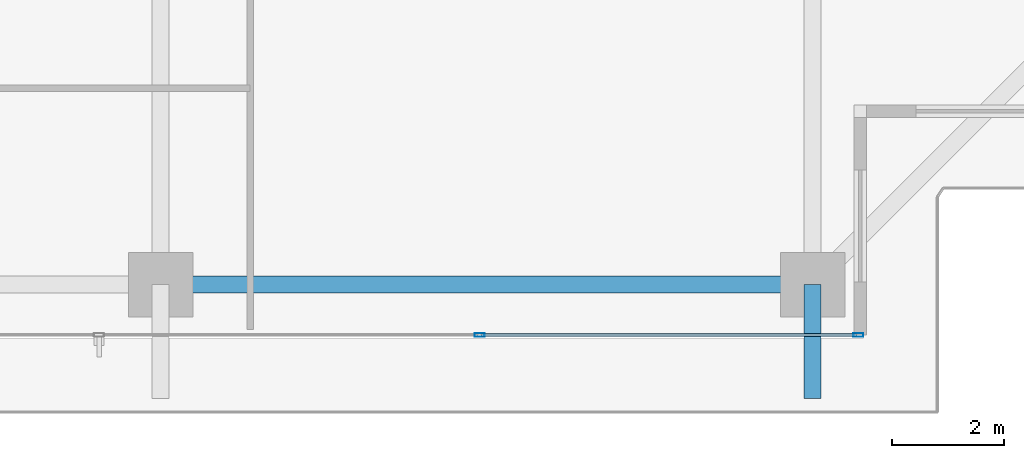
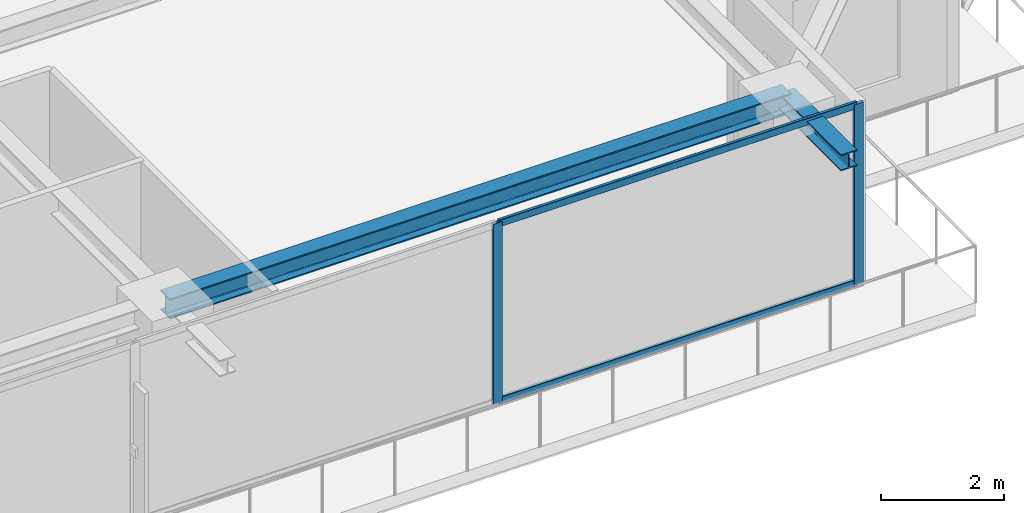
# One storey, part 11 of 38: 4 members, 2 beams, 1 element without a shape of its own.
"""IFC4 building model written with IfcOpenShell, lengths in metres."""

from ifc_helpers import new_model, si_unit, direction, frame, origin, origin_2d, place, context, subcontext, project, spatial, hollow_rectangle, i_section, extrude, source, transform, mapped, material, layer, layer_set, material_profile, profile_set, type_object, element, aggregate, save


model = new_model("IFC4")

# Units and contexts
model_context = context("Model", 3, precision=1e-05, world=origin(), true_north=direction((0.0, 1.0)))
body_context = subcontext(model_context, "Body", "Model", "MODEL_VIEW")
ifc_project = project(units=[si_unit("LENGTHUNIT", "METRE"), si_unit("AREAUNIT", "SQUARE_METRE"), si_unit("VOLUMEUNIT", "CUBIC_METRE"), si_unit("PLANEANGLEUNIT", "RADIAN"), si_unit("MASSUNIT", "GRAM", prefix="KILO")], contexts=[model_context])

# Site, building, storey
site_placement = place(None, origin())
site = spatial("IfcSite", under=ifc_project, at=site_placement, CompositionType="ELEMENT")
building_placement = place(site_placement, origin())
building = spatial("IfcBuilding", under=site, at=building_placement, Name="Serunith Strait Residences", CompositionType="ELEMENT")
storey_placement = place(building_placement, frame((0.0, 0.0, 264.35009765625)))
storey = spatial("IfcBuildingStorey", under=building, at=storey_placement, Name="L66", CompositionType="ELEMENT", Elevation=264.35009765625)

# Beams
ifc_material_1 = material(Name="Steel S355J2", Category="steel")
ifc_material_profile_1 = material_profile(ifc_material_1, i_section(OverallWidth=0.300048828125, OverallDepth=0.39990234375, WebThickness=0.013427734375, FlangeThickness=0.02392578125, FilletRadius=0.027099609375, at=origin_2d()), Name="HEB 400")
ifc_profile_set_1 = profile_set([ifc_material_profile_1], Name="Steel S355J2")
beam_type_1 = type_object("IfcBeamType", Name="BM-HEB400", PredefinedType="BEAM", material=ifc_profile_set_1)
shared_shape_1 = source(origin(), body_context, "Body", "SweptSolid", [
    extrude(i_section(OverallWidth=0.300048828125, OverallDepth=0.39990234375, WebThickness=0.013427734375, FlangeThickness=0.02392578125, FilletRadius=0.027099609375, at=origin_2d()), origin(), (0.0, 0.0, 1.0), 11.650146484375),
])
beam_1_placement = place(storey_placement, frame((36.89990234375, 2.10009765625, 3.386962890625), z_axis=(1.0, 0.0, 0.0), x_axis=(0.0, 1.0, 0.0)))
element("IfcBeam", 1, at=beam_1_placement, inside=storey, type_object=beam_type_1, Name="L66 Perimeter Ring Beam 03", PredefinedType="BEAM", context=body_context, shape_type="MappedRepresentation", body=[
    mapped(shared_shape_1, transform((0.0, 0.0, 0.0), scale=1.0)),
])
ifc_material_profile_2 = material_profile(ifc_material_1, i_section(OverallWidth=0.300048828125, OverallDepth=0.320068359375, WebThickness=0.011474609375, FlangeThickness=0.0205078125, FilletRadius=0.027099609375, at=origin_2d()), Name="HEB 320")
ifc_profile_set_2 = profile_set([ifc_material_profile_2], Name="Steel S355J2")
beam_type_2 = type_object("IfcBeamType", Name="BM-HEB320", PredefinedType="BEAM", material=ifc_profile_set_2)
shared_shape_2 = source(origin(), body_context, "Body", "SweptSolid", [
    extrude(i_section(OverallWidth=0.300048828125, OverallDepth=0.320068359375, WebThickness=0.011474609375, FlangeThickness=0.0205078125, FilletRadius=0.027099609375, at=origin_2d()), origin(), (0.0, 0.0, 1.0), 2.030029296875),
])
beam_2_placement = place(storey_placement, frame((48.550048828125, 2.10009765625, 3.39697265625), z_axis=(0.0, -1.0, 0.0), x_axis=(1.0, 0.0, 0.0)))
element("IfcBeam", 2, at=beam_2_placement, inside=storey, type_object=beam_type_2, Name="L67 Cantilevered Balcony Rib TC-S4", PredefinedType="BEAM", context=body_context, shape_type="MappedRepresentation", body=[
    mapped(shared_shape_2, transform((0.0, 0.0, 0.0), scale=1.0)),
])

# Curtain wall, members
ifc_material_2 = material(Name="Pale-Champagne Anodised Aluminium", Category="aluminium")
ifc_layer = layer(ifc_material_2, 0.199951171875, Name="Pale-Champagne Anodised Aluminium")
ifc_layer_set = layer_set([ifc_layer], Name="Pale-Champagne Anodised Aluminium")
curtain_wall_type = type_object("IfcCurtainWallType", Name="CW-SYS4", PredefinedType="NOTDEFINED", material=ifc_layer_set)
curtain_wall_placement = place(storey_placement, origin())
curtain_wall = element("IfcCurtainWall", 3, at=curtain_wall_placement, inside=storey, type_object=curtain_wall_type, Name="L66 S Unitised Fritted Curtain Wall", PredefinedType="NOTDEFINED")
ifc_material_profile_3 = material_profile(ifc_material_2, hollow_rectangle(XDim=0.06494140625, YDim=0.179931640625, WallThickness=0.00341796875, InnerFilletRadius=0.00537109375, OuterFilletRadius=0.0087890625, at=origin_2d()), Name="ALU 180x65x3.5")
ifc_profile_set_3 = profile_set([ifc_material_profile_3], Name="Pale-Champagne Anodised Aluminium")
member_type_1 = type_object("IfcMemberType", Name="CW-SYS4-MULL", PredefinedType="MULLION", material=ifc_profile_set_3)
shared_shape_3 = source(origin(), body_context, "Body", "SweptSolid", [
    extrude(hollow_rectangle(XDim=0.06494140625, YDim=0.179931640625, WallThickness=0.00341796875, InnerFilletRadius=0.00537109375, OuterFilletRadius=0.0087890625, at=origin_2d()), origin(), (0.0, 0.0, 1.0), 3.574951171875),
])
member_1_placement = place(storey_placement, frame((42.60009765625, 1.199951171875, 0.0), z_axis=(0.0, 0.0, 1.0), x_axis=(0.0, 1.0, 0.0)))
member_1 = element("IfcMember", 4, at=member_1_placement, type_object=member_type_1, Name="CW-4 mullion 5", PredefinedType="MULLION", context=body_context, shape_type="MappedRepresentation", body=[
    mapped(shared_shape_3, transform((0.0, 0.0, 0.0), scale=1.0)),
])
member_2_placement = place(storey_placement, frame((49.367431640625, 1.199951171875, 0.0), z_axis=(0.0, 0.0, 1.0), x_axis=(0.0, 1.0, 0.0)))
member_2 = element("IfcMember", 5, at=member_2_placement, type_object=member_type_1, Name="CW-4 mullion 6", PredefinedType="MULLION", context=body_context, shape_type="MappedRepresentation", body=[
    mapped(shared_shape_3, transform((0.0, 0.0, 0.0), scale=1.0)),
])
ifc_material_profile_4 = material_profile(ifc_material_2, hollow_rectangle(XDim=0.06005859375, YDim=0.139892578125, WallThickness=0.00341796875, InnerFilletRadius=0.00537109375, OuterFilletRadius=0.0087890625, at=origin_2d()), Name="ALU 140x60x3.5")
ifc_profile_set_4 = profile_set([ifc_material_profile_4], Name="Pale-Champagne Anodised Aluminium")
member_type_2 = type_object("IfcMemberType", Name="CW-SYS4-TRAN", PredefinedType="USERDEFINED", material=ifc_profile_set_4)
shared_shape_4 = source(origin(), body_context, "Body", "SweptSolid", [
    extrude(hollow_rectangle(XDim=0.06005859375, YDim=0.139892578125, WallThickness=0.00341796875, InnerFilletRadius=0.00537109375, OuterFilletRadius=0.0087890625, at=origin_2d()), origin(), (0.0, 0.0, 1.0), 6.702392578125),
])
member_3_placement = place(storey_placement, frame((42.632568359375, 1.199951171875, 0.02978515625), z_axis=(1.0, 0.0, 0.0), x_axis=(0.0, 1.0, 0.0)))
member_3 = element("IfcMember", 6, at=member_3_placement, type_object=member_type_2, Name="CW-4 transom 5.1", ObjectType="TRANSOM", PredefinedType="USERDEFINED", context=body_context, shape_type="MappedRepresentation", body=[
    mapped(shared_shape_4, transform((0.0, 0.0, 0.0), scale=1.0)),
])
member_4_placement = place(storey_placement, frame((42.632568359375, 1.199951171875, 3.544921875), z_axis=(1.0, 0.0, 0.0), x_axis=(0.0, 1.0, 0.0)))
member_4 = element("IfcMember", 7, at=member_4_placement, type_object=member_type_2, Name="CW-4 transom 5.2", ObjectType="TRANSOM", PredefinedType="USERDEFINED", context=body_context, shape_type="MappedRepresentation", body=[
    mapped(shared_shape_4, transform((0.0, 0.0, 0.0), scale=1.0)),
])
aggregate(curtain_wall, [member_1, member_2, member_3, member_4])

save(model, "model.ifc")
